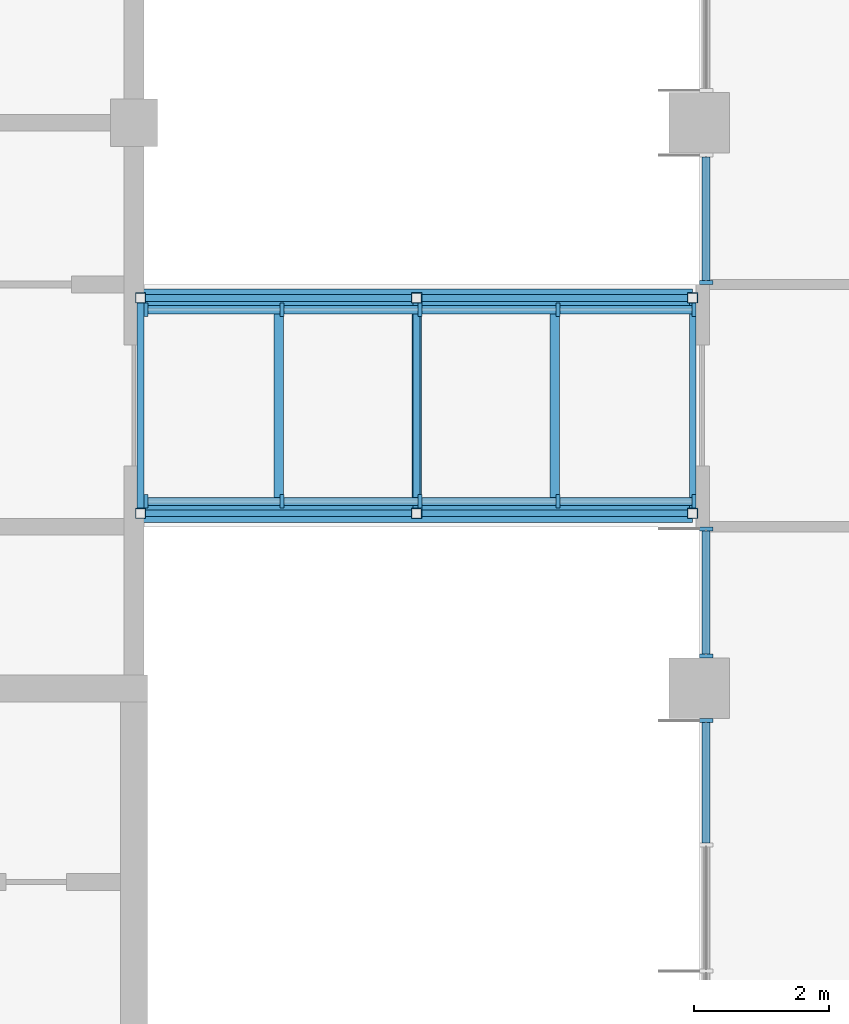
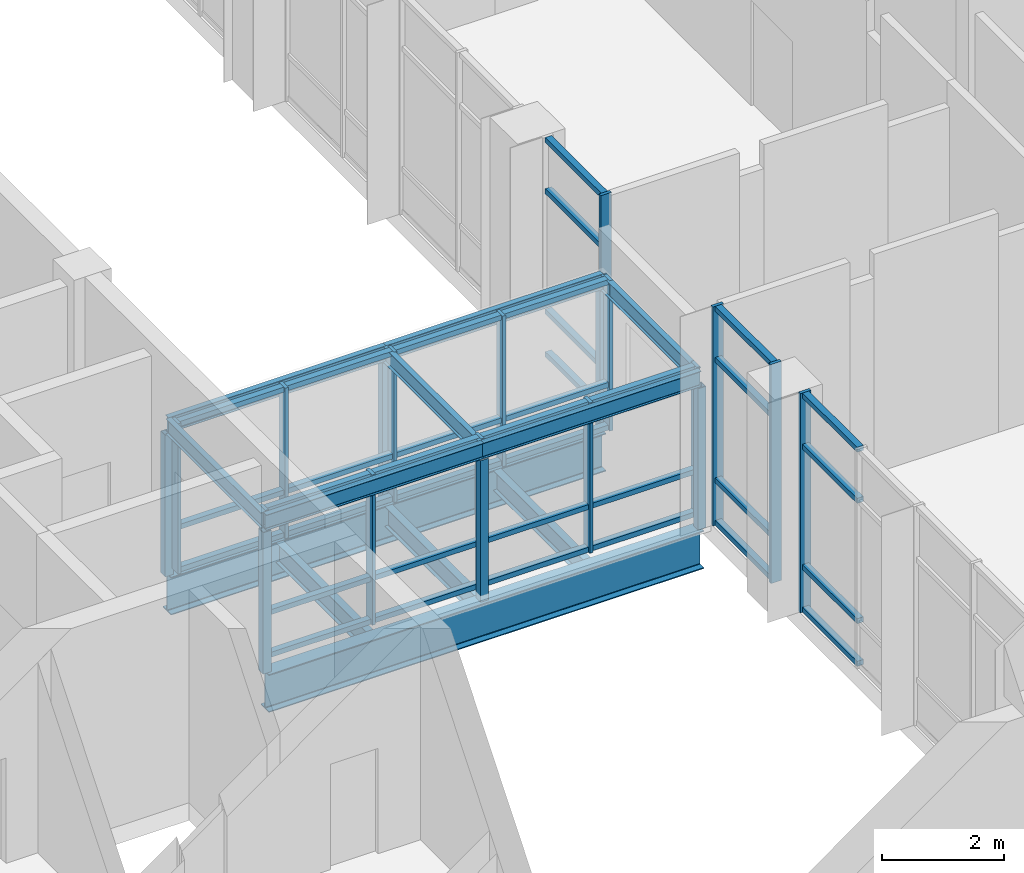
# One storey, part 18 of 70: 56 members, 12 beams, 5 elements without a shape of their own.
"""IFC4 building model written with IfcOpenShell, lengths in metres."""

from ifc_helpers import new_model, si_unit, direction, frame, origin, origin_2d, place, context, subcontext, project, spatial, rectangle, hollow_rectangle, i_section, extrude, material, material_profile, profile_set, type_object, element, aggregate, save


model = new_model("IFC4")

# Units and contexts
model_context = context("Model", 3, precision=1e-05, world=origin(), true_north=direction((0.0, 1.0)))
body_context = subcontext(model_context, "Body", "Model", "MODEL_VIEW")
ifc_project = project(units=[si_unit("LENGTHUNIT", "METRE"), si_unit("AREAUNIT", "SQUARE_METRE"), si_unit("VOLUMEUNIT", "CUBIC_METRE"), si_unit("PLANEANGLEUNIT", "RADIAN"), si_unit("MASSUNIT", "GRAM", prefix="KILO")], contexts=[model_context])

# Site, building, storey
site_placement = place(None, origin())
site = spatial("IfcSite", under=ifc_project, at=site_placement, CompositionType="ELEMENT")
building_placement = place(site_placement, origin())
building = spatial("IfcBuilding", under=site, at=building_placement, Name="Hlaing Beacon Police Headquarters", CompositionType="ELEMENT")
storey_placement = place(building_placement, frame((0.0, 0.0, 5.39990234375)))
storey = spatial("IfcBuildingStorey", under=building, at=storey_placement, Name="L01", CompositionType="ELEMENT", Elevation=5.39990234375)

# Beams
ifc_material_1 = material(Name="Steel ASTM A992 Grade 50", Category="steel")
ifc_material_profile_1 = material_profile(ifc_material_1, i_section(OverallWidth=0.1396484375, OverallDepth=0.398681640625, WebThickness=0.00634765625, FlangeThickness=0.0087890625, FilletRadius=0.01025390625, at=origin_2d()), Name="W16x26")
ifc_profile_set_1 = profile_set([ifc_material_profile_1], Name="Steel ASTM A992 Grade 50")
beam_type_1 = type_object("IfcBeamType", Name="Bridge cross beam W16x26", PredefinedType="BEAM", material=ifc_profile_set_1)
for number, where, z_axis, x_axis, name in (
    (1, (94.550048828125, 44.7333984375, -0.329345703125), (0.0, 1.0, 0.0), (-1.0, 0.0, 0.0), "STR-BG-BR2-CB01"),
    (2, (96.60009765625, 44.7333984375, -0.329345703125), (0.0, 1.0, 0.0), (-1.0, 0.0, 0.0), "STR-BG-BR2-CB02"),
    (3, (98.64990234375, 44.7333984375, -0.329345703125), (0.0, 1.0, 0.0), (-1.0, 0.0, 0.0), "STR-BG-BR2-CB03"),
):
    element("IfcBeam", number, at=place(storey_placement, frame(where, z_axis=z_axis, x_axis=x_axis)), inside=storey, type_object=beam_type_1, Name=name, PredefinedType="BEAM", context=body_context, shape_type="SweptSolid", body=[
        extrude(i_section(OverallWidth=0.1396484375, OverallDepth=0.398681640625, WebThickness=0.00634765625, FlangeThickness=0.0087890625, FilletRadius=0.01025390625, at=origin_2d()), origin(), (0.0, 0.0, 1.0), 2.933349609375),
    ])
ifc_material_2 = material(Name="Steel ASTM A992 Grade 50", Category="steel")
ifc_material_profile_2 = material_profile(ifc_material_2, i_section(OverallWidth=0.2666015625, OverallDepth=0.7568359375, WebThickness=0.013916015625, FlangeThickness=0.019287109375, FilletRadius=0.0166015625, at=origin_2d()), Name="W30x108")
ifc_profile_set_2 = profile_set([ifc_material_profile_2], Name="Steel ASTM A992 Grade 50")
beam_type_2 = type_object("IfcBeamType", Name="Bridge girder W30x108", PredefinedType="BEAM", material=ifc_profile_set_2)
for number, where, z_axis, x_axis, name in (
    (4, (92.5, 44.60009765625, -0.50830078125), (1.0, 0.0, 0.0), (0.0, 1.0, 0.0), "STR-BG-BR2-G1"),
    (5, (92.5, 47.800048828125, -0.50830078125), (1.0, 0.0, 0.0), (0.0, 1.0, 0.0), "STR-BG-BR2-G2"),
):
    element("IfcBeam", number, at=place(storey_placement, frame(where, z_axis=z_axis, x_axis=x_axis)), inside=storey, type_object=beam_type_2, Name=name, PredefinedType="BEAM", context=body_context, shape_type="SweptSolid", body=[
        extrude(i_section(OverallWidth=0.2666015625, OverallDepth=0.7568359375, WebThickness=0.013916015625, FlangeThickness=0.019287109375, FilletRadius=0.0166015625, at=origin_2d()), origin(), (0.0, 0.0, 1.0), 8.199951171875),
    ])

# Members
ifc_material_3 = material(Name="Steel ASTM A500 Grade C", Category="steel")
ifc_material_profile_3 = material_profile(ifc_material_3, hollow_rectangle(XDim=0.15234375, YDim=0.15234375, WallThickness=0.009521484375, at=origin_2d()), Name="HSS6x6x3/8")
ifc_profile_set_3 = profile_set([ifc_material_profile_3], Name="Steel ASTM A500 Grade C")
member_type_1 = type_object("IfcMemberType", Name="Bridge post HSS6x6x3/8", PredefinedType="POST", material=ifc_profile_set_3)
for number, where, z_axis, x_axis, name in (
    (6, (92.5, 44.60009765625, -0.1298828125), (0.0, 0.0, 1.0), (1.0, 0.0, 0.0), "STR-BG-BR2-PSA01"),
    (7, (96.60009765625, 44.60009765625, -0.1298828125), (0.0, 0.0, 1.0), (1.0, 0.0, 0.0), "STR-BG-BR2-PSA02"),
    (8, (100.699951171875, 44.60009765625, -0.1298828125), (0.0, 0.0, 1.0), (1.0, 0.0, 0.0), "STR-BG-BR2-PSA03"),
    (9, (92.5, 47.800048828125, -0.1298828125), (0.0, 0.0, 1.0), (1.0, 0.0, 0.0), "STR-BG-BR2-PSB01"),
    (10, (96.60009765625, 47.800048828125, -0.1298828125), (0.0, 0.0, 1.0), (1.0, 0.0, 0.0), "STR-BG-BR2-PSB02"),
    (11, (100.699951171875, 47.800048828125, -0.1298828125), (0.0, 0.0, 1.0), (1.0, 0.0, 0.0), "STR-BG-BR2-PSB03"),
):
    element("IfcMember", number, at=place(storey_placement, frame(where, z_axis=z_axis, x_axis=x_axis)), inside=storey, type_object=member_type_1, Name=name, PredefinedType="POST", context=body_context, shape_type="SweptSolid", body=[
        extrude(hollow_rectangle(XDim=0.15234375, YDim=0.15234375, WallThickness=0.009521484375, at=origin_2d()), origin(), (0.0, 0.0, 1.0), 2.820068359375),
    ])

# Beams
ifc_material_4 = material(Name="Steel ASTM A992 Grade 50", Category="steel")
ifc_material_profile_4 = material_profile(ifc_material_4, i_section(OverallWidth=0.101806640625, OverallDepth=0.309814453125, WebThickness=0.005859375, FlangeThickness=0.0087890625, FilletRadius=0.007568359375, at=origin_2d()), Name="W12x19")
ifc_profile_set_4 = profile_set([ifc_material_profile_4], Name="Steel ASTM A992 Grade 50")
beam_type_3 = type_object("IfcBeamType", Name="Bridge roof beam W12x19", PredefinedType="BEAM", material=ifc_profile_set_4)
beam_1_placement = place(storey_placement, frame((92.5, 44.60009765625, 2.84521484375), z_axis=(1.0, 0.0, 0.0), x_axis=(0.0, 1.0, 0.0)))
element("IfcBeam", 12, at=beam_1_placement, inside=storey, type_object=beam_type_3, Name="STR-BG-BR2-RBA01", PredefinedType="BEAM", context=body_context, shape_type="SweptSolid", body=[
    extrude(i_section(OverallWidth=0.101806640625, OverallDepth=0.309814453125, WebThickness=0.005859375, FlangeThickness=0.0087890625, FilletRadius=0.007568359375, at=origin_2d()), origin(), (0.0, 0.0, 1.0), 4.10009765625),
])
beam_2_placement = place(storey_placement, frame((96.60009765625, 44.60009765625, 2.84521484375), z_axis=(1.0, 0.0, 0.0), x_axis=(0.0, 1.0, 0.0)))
element("IfcBeam", 13, at=beam_2_placement, inside=storey, type_object=beam_type_3, Name="STR-BG-BR2-RBA02", PredefinedType="BEAM", context=body_context, shape_type="SweptSolid", body=[
    extrude(i_section(OverallWidth=0.101806640625, OverallDepth=0.309814453125, WebThickness=0.005859375, FlangeThickness=0.0087890625, FilletRadius=0.007568359375, at=origin_2d()), origin(), (0.0, 0.0, 1.0), 4.099853515625),
])
beam_3_placement = place(storey_placement, frame((92.5, 47.800048828125, 2.84521484375), z_axis=(1.0, 0.0, 0.0), x_axis=(0.0, 1.0, 0.0)))
element("IfcBeam", 14, at=beam_3_placement, inside=storey, type_object=beam_type_3, Name="STR-BG-BR2-RBB01", PredefinedType="BEAM", context=body_context, shape_type="SweptSolid", body=[
    extrude(i_section(OverallWidth=0.101806640625, OverallDepth=0.309814453125, WebThickness=0.005859375, FlangeThickness=0.0087890625, FilletRadius=0.007568359375, at=origin_2d()), origin(), (0.0, 0.0, 1.0), 4.10009765625),
])
beam_4_placement = place(storey_placement, frame((96.60009765625, 47.800048828125, 2.84521484375), z_axis=(1.0, 0.0, 0.0), x_axis=(0.0, 1.0, 0.0)))
element("IfcBeam", 15, at=beam_4_placement, inside=storey, type_object=beam_type_3, Name="STR-BG-BR2-RBB02", PredefinedType="BEAM", context=body_context, shape_type="SweptSolid", body=[
    extrude(i_section(OverallWidth=0.101806640625, OverallDepth=0.309814453125, WebThickness=0.005859375, FlangeThickness=0.0087890625, FilletRadius=0.007568359375, at=origin_2d()), origin(), (0.0, 0.0, 1.0), 4.099853515625),
])
for number, where, z_axis, x_axis, name in (
    (16, (92.5, 44.65087890625, 2.84521484375), (0.0, 1.0, 0.0), (-1.0, 0.0, 0.0), "STR-BG-BR2-RC01"),
    (17, (96.60009765625, 44.65087890625, 2.84521484375), (0.0, 1.0, 0.0), (-1.0, 0.0, 0.0), "STR-BG-BR2-RC02"),
    (18, (100.699951171875, 44.65087890625, 2.84521484375), (0.0, 1.0, 0.0), (-1.0, 0.0, 0.0), "STR-BG-BR2-RC03"),
):
    element("IfcBeam", number, at=place(storey_placement, frame(where, z_axis=z_axis, x_axis=x_axis)), inside=storey, type_object=beam_type_3, Name=name, PredefinedType="BEAM", context=body_context, shape_type="SweptSolid", body=[
        extrude(i_section(OverallWidth=0.101806640625, OverallDepth=0.309814453125, WebThickness=0.005859375, FlangeThickness=0.0087890625, FilletRadius=0.007568359375, at=origin_2d()), origin(), (0.0, 0.0, 1.0), 3.09814453125),
    ])

# Curtain wall, member
ifc_material_5 = material(Name="Aluminium frame with solar control glazing", Category="aluminium")
curtain_wall_type_1 = type_object("IfcCurtainWallType", Name="Unitised curtain wall 1.95 x 4.37", PredefinedType="NOTDEFINED", material=ifc_material_5)
curtain_wall_1_placement = place(storey_placement, origin())
curtain_wall_1 = element("IfcCurtainWall", 19, at=curtain_wall_1_placement, inside=storey, type_object=curtain_wall_type_1, Name="ENV-CW-L01-W025", PredefinedType="NOTDEFINED")
ifc_material_6 = material(Name="Aluminium", Category="aluminium")
ifc_material_profile_5 = material_profile(ifc_material_6, rectangle(XDim=0.199951171875, YDim=0.06005859375, at=origin_2d()), Name="Mullion 60x200")
ifc_profile_set_5 = profile_set([ifc_material_profile_5], Name="Aluminium")
member_type_2 = type_object("IfcMemberType", Name="Mullion 60x200", PredefinedType="MULLION", material=ifc_profile_set_5)
member_1_placement = place(storey_placement, frame((100.89990234375, 48.030029296875, 0.0), z_axis=(0.0, 0.0, 1.0), x_axis=(1.0, 0.0, 0.0)))
member_1 = element("IfcMember", 20, at=member_1_placement, type_object=member_type_2, Name="CW-L01-W025 mullion 2", PredefinedType="MULLION", context=body_context, shape_type="SweptSolid", body=[
    extrude(rectangle(XDim=0.199951171875, YDim=0.06005859375, at=origin_2d()), origin(), (0.0, 0.0, 1.0), 4.3701171875),
])

# Curtain wall, members
curtain_wall_2_placement = place(storey_placement, origin())
curtain_wall_2 = element("IfcCurtainWall", 21, at=curtain_wall_2_placement, inside=storey, type_object=curtain_wall_type_1, Name="ENV-CW-L01-W026", PredefinedType="NOTDEFINED")
member_2_placement = place(storey_placement, frame((100.89990234375, 44.3701171875, 0.0), z_axis=(0.0, 0.0, 1.0), x_axis=(1.0, 0.0, 0.0)))
member_2 = element("IfcMember", 22, at=member_2_placement, type_object=member_type_2, Name="CW-L01-W026 mullion 1", PredefinedType="MULLION", context=body_context, shape_type="SweptSolid", body=[
    extrude(rectangle(XDim=0.199951171875, YDim=0.06005859375, at=origin_2d()), origin(), (0.0, 0.0, 1.0), 4.3701171875),
])
member_3_placement = place(storey_placement, frame((100.89990234375, 42.47998046875, 0.0), z_axis=(0.0, 0.0, 1.0), x_axis=(1.0, 0.0, 0.0)))
member_3 = element("IfcMember", 23, at=member_3_placement, type_object=member_type_2, Name="CW-L01-W026 mullion 2", PredefinedType="MULLION", context=body_context, shape_type="SweptSolid", body=[
    extrude(rectangle(XDim=0.199951171875, YDim=0.06005859375, at=origin_2d()), origin(), (0.0, 0.0, 1.0), 4.3701171875),
])

# Curtain wall, member
ifc_material_7 = material(Name="Aluminium frame with solar control glazing", Category="aluminium")
curtain_wall_type_2 = type_object("IfcCurtainWallType", Name="Unitised curtain wall 7.50 x 4.37", PredefinedType="NOTDEFINED", material=ifc_material_7)
curtain_wall_3_placement = place(storey_placement, origin())
curtain_wall_3 = element("IfcCurtainWall", 24, at=curtain_wall_3_placement, inside=storey, type_object=curtain_wall_type_2, Name="ENV-CW-L01-W027", PredefinedType="NOTDEFINED")
member_4_placement = place(storey_placement, frame((100.89990234375, 41.52001953125, 0.0), z_axis=(0.0, 0.0, 1.0), x_axis=(1.0, 0.0, 0.0)))
member_4 = element("IfcMember", 25, at=member_4_placement, type_object=member_type_2, Name="CW-L01-W027 mullion 1", PredefinedType="MULLION", context=body_context, shape_type="SweptSolid", body=[
    extrude(rectangle(XDim=0.199951171875, YDim=0.06005859375, at=origin_2d()), origin(), (0.0, 0.0, 1.0), 4.3701171875),
])

# Curtain wall, members
ifc_material_8 = material(Name="Aluminium frame with solar control glazing", Category="aluminium")
curtain_wall_type_3 = type_object("IfcCurtainWallType", Name="Unitised curtain wall 8.20 x 3.00", PredefinedType="NOTDEFINED", material=ifc_material_8)
curtain_wall_4_placement = place(storey_placement, origin())
curtain_wall_4 = element("IfcCurtainWall", 26, at=curtain_wall_4_placement, inside=storey, type_object=curtain_wall_type_3, Name="ENV-BG-BR2-A-34", PredefinedType="NOTDEFINED")
member_5_placement = place(storey_placement, frame((92.580078125, 44.776123046875, 0.0), z_axis=(0.0, 0.0, 1.0), x_axis=(0.0, 1.0, 0.0)))
member_5 = element("IfcMember", 27, at=member_5_placement, type_object=member_type_2, Name="BG-BR2-A-34 mullion 1", PredefinedType="MULLION", context=body_context, shape_type="SweptSolid", body=[
    extrude(rectangle(XDim=0.199951171875, YDim=0.06005859375, at=origin_2d()), origin(), (0.0, 0.0, 1.0), 3.0),
])
member_6_placement = place(storey_placement, frame((94.60009765625, 44.776123046875, 0.0), z_axis=(0.0, 0.0, 1.0), x_axis=(0.0, 1.0, 0.0)))
member_6 = element("IfcMember", 28, at=member_6_placement, type_object=member_type_2, Name="BG-BR2-A-34 mullion 2", PredefinedType="MULLION", context=body_context, shape_type="SweptSolid", body=[
    extrude(rectangle(XDim=0.199951171875, YDim=0.06005859375, at=origin_2d()), origin(), (0.0, 0.0, 1.0), 3.0),
])
member_7_placement = place(storey_placement, frame((96.64990234375, 44.776123046875, 0.0), z_axis=(0.0, 0.0, 1.0), x_axis=(0.0, 1.0, 0.0)))
member_7 = element("IfcMember", 29, at=member_7_placement, type_object=member_type_2, Name="BG-BR2-A-34 mullion 3", PredefinedType="MULLION", context=body_context, shape_type="SweptSolid", body=[
    extrude(rectangle(XDim=0.199951171875, YDim=0.06005859375, at=origin_2d()), origin(), (0.0, 0.0, 1.0), 3.0),
])
member_8_placement = place(storey_placement, frame((98.699951171875, 44.776123046875, 0.0), z_axis=(0.0, 0.0, 1.0), x_axis=(0.0, 1.0, 0.0)))
member_8 = element("IfcMember", 30, at=member_8_placement, type_object=member_type_2, Name="BG-BR2-A-34 mullion 4", PredefinedType="MULLION", context=body_context, shape_type="SweptSolid", body=[
    extrude(rectangle(XDim=0.199951171875, YDim=0.06005859375, at=origin_2d()), origin(), (0.0, 0.0, 1.0), 3.0),
])
member_9_placement = place(storey_placement, frame((100.719970703125, 44.776123046875, 0.0), z_axis=(0.0, 0.0, 1.0), x_axis=(0.0, 1.0, 0.0)))
member_9 = element("IfcMember", 31, at=member_9_placement, type_object=member_type_2, Name="BG-BR2-A-34 mullion 5", PredefinedType="MULLION", context=body_context, shape_type="SweptSolid", body=[
    extrude(rectangle(XDim=0.199951171875, YDim=0.06005859375, at=origin_2d()), origin(), (0.0, 0.0, 1.0), 3.0),
])

curtain_wall_5_placement = place(storey_placement, origin())
curtain_wall_5 = element("IfcCurtainWall", 32, at=curtain_wall_5_placement, inside=storey, type_object=curtain_wall_type_3, Name="ENV-BG-BR2-B-35", PredefinedType="NOTDEFINED")
member_10_placement = place(storey_placement, frame((92.580078125, 47.623779296875, 0.0), z_axis=(0.0, 0.0, 1.0), x_axis=(0.0, 1.0, 0.0)))
member_10 = element("IfcMember", 33, at=member_10_placement, type_object=member_type_2, Name="BG-BR2-B-35 mullion 1", PredefinedType="MULLION", context=body_context, shape_type="SweptSolid", body=[
    extrude(rectangle(XDim=0.199951171875, YDim=0.06005859375, at=origin_2d()), origin(), (0.0, 0.0, 1.0), 3.0),
])
member_11_placement = place(storey_placement, frame((94.60009765625, 47.623779296875, 0.0), z_axis=(0.0, 0.0, 1.0), x_axis=(0.0, 1.0, 0.0)))
member_11 = element("IfcMember", 34, at=member_11_placement, type_object=member_type_2, Name="BG-BR2-B-35 mullion 2", PredefinedType="MULLION", context=body_context, shape_type="SweptSolid", body=[
    extrude(rectangle(XDim=0.199951171875, YDim=0.06005859375, at=origin_2d()), origin(), (0.0, 0.0, 1.0), 3.0),
])
member_12_placement = place(storey_placement, frame((96.64990234375, 47.623779296875, 0.0), z_axis=(0.0, 0.0, 1.0), x_axis=(0.0, 1.0, 0.0)))
member_12 = element("IfcMember", 35, at=member_12_placement, type_object=member_type_2, Name="BG-BR2-B-35 mullion 3", PredefinedType="MULLION", context=body_context, shape_type="SweptSolid", body=[
    extrude(rectangle(XDim=0.199951171875, YDim=0.06005859375, at=origin_2d()), origin(), (0.0, 0.0, 1.0), 3.0),
])
member_13_placement = place(storey_placement, frame((98.699951171875, 47.623779296875, 0.0), z_axis=(0.0, 0.0, 1.0), x_axis=(0.0, 1.0, 0.0)))
member_13 = element("IfcMember", 36, at=member_13_placement, type_object=member_type_2, Name="BG-BR2-B-35 mullion 4", PredefinedType="MULLION", context=body_context, shape_type="SweptSolid", body=[
    extrude(rectangle(XDim=0.199951171875, YDim=0.06005859375, at=origin_2d()), origin(), (0.0, 0.0, 1.0), 3.0),
])
member_14_placement = place(storey_placement, frame((100.719970703125, 47.623779296875, 0.0), z_axis=(0.0, 0.0, 1.0), x_axis=(0.0, 1.0, 0.0)))
member_14 = element("IfcMember", 37, at=member_14_placement, type_object=member_type_2, Name="BG-BR2-B-35 mullion 5", PredefinedType="MULLION", context=body_context, shape_type="SweptSolid", body=[
    extrude(rectangle(XDim=0.199951171875, YDim=0.06005859375, at=origin_2d()), origin(), (0.0, 0.0, 1.0), 3.0),
])

# Member
ifc_material_9 = material(Name="Aluminium", Category="aluminium")
ifc_material_profile_6 = material_profile(ifc_material_9, rectangle(XDim=0.1201171875, YDim=0.10009765625, at=origin_2d()), Name="Transom 120x100")
ifc_profile_set_6 = profile_set([ifc_material_profile_6], Name="Aluminium")
member_type_3 = type_object("IfcMemberType", Name="Transom 120x100", PredefinedType="USERDEFINED", material=ifc_profile_set_6)
member_15_placement = place(storey_placement, frame((100.89990234375, 49.889892578125, 0.050048828125), z_axis=(0.0, -1.0, 0.0), x_axis=(1.0, 0.0, 0.0)))
member_15 = element("IfcMember", 38, at=member_15_placement, type_object=member_type_3, Name="CW-L01-W025 transom 1.1", ObjectType="TRANSOM", PredefinedType="USERDEFINED", context=body_context, shape_type="SweptSolid", body=[
    extrude(rectangle(XDim=0.1201171875, YDim=0.10009765625, at=origin_2d()), origin(), (0.0, 0.0, 1.0), 1.829833984375),
])

member_16_placement = place(storey_placement, frame((100.89990234375, 49.889892578125, 0.900146484375), z_axis=(0.0, -1.0, 0.0), x_axis=(1.0, 0.0, 0.0)))
member_16 = element("IfcMember", 39, at=member_16_placement, type_object=member_type_3, Name="CW-L01-W025 transom 1.2", ObjectType="TRANSOM", PredefinedType="USERDEFINED", context=body_context, shape_type="SweptSolid", body=[
    extrude(rectangle(XDim=0.1201171875, YDim=0.10009765625, at=origin_2d()), origin(), (0.0, 0.0, 1.0), 1.829833984375),
])

member_17_placement = place(storey_placement, frame((100.89990234375, 49.889892578125, 3.300048828125), z_axis=(0.0, -1.0, 0.0), x_axis=(1.0, 0.0, 0.0)))
member_17 = element("IfcMember", 40, at=member_17_placement, type_object=member_type_3, Name="CW-L01-W025 transom 1.3", ObjectType="TRANSOM", PredefinedType="USERDEFINED", context=body_context, shape_type="SweptSolid", body=[
    extrude(rectangle(XDim=0.1201171875, YDim=0.10009765625, at=origin_2d()), origin(), (0.0, 0.0, 1.0), 1.829833984375),
])

member_18_placement = place(storey_placement, frame((100.89990234375, 49.889892578125, 4.320068359375), z_axis=(0.0, -1.0, 0.0), x_axis=(1.0, 0.0, 0.0)))
member_18 = element("IfcMember", 41, at=member_18_placement, type_object=member_type_3, Name="CW-L01-W025 transom 1.4", ObjectType="TRANSOM", PredefinedType="USERDEFINED", context=body_context, shape_type="SweptSolid", body=[
    extrude(rectangle(XDim=0.1201171875, YDim=0.10009765625, at=origin_2d()), origin(), (0.0, 0.0, 1.0), 1.829833984375),
])

aggregate(curtain_wall_1, [member_1, member_15, member_16, member_17, member_18])

member_19_placement = place(storey_placement, frame((100.89990234375, 44.340087890625, 0.050048828125), z_axis=(0.0, -1.0, 0.0), x_axis=(1.0, 0.0, 0.0)))
member_19 = element("IfcMember", 42, at=member_19_placement, type_object=member_type_3, Name="CW-L01-W026 transom 1.1", ObjectType="TRANSOM", PredefinedType="USERDEFINED", context=body_context, shape_type="SweptSolid", body=[
    extrude(rectangle(XDim=0.1201171875, YDim=0.10009765625, at=origin_2d()), origin(), (0.0, 0.0, 1.0), 1.830078125),
])

member_20_placement = place(storey_placement, frame((100.89990234375, 44.340087890625, 0.900146484375), z_axis=(0.0, -1.0, 0.0), x_axis=(1.0, 0.0, 0.0)))
member_20 = element("IfcMember", 43, at=member_20_placement, type_object=member_type_3, Name="CW-L01-W026 transom 1.2", ObjectType="TRANSOM", PredefinedType="USERDEFINED", context=body_context, shape_type="SweptSolid", body=[
    extrude(rectangle(XDim=0.1201171875, YDim=0.10009765625, at=origin_2d()), origin(), (0.0, 0.0, 1.0), 1.830078125),
])

member_21_placement = place(storey_placement, frame((100.89990234375, 44.340087890625, 3.300048828125), z_axis=(0.0, -1.0, 0.0), x_axis=(1.0, 0.0, 0.0)))
member_21 = element("IfcMember", 44, at=member_21_placement, type_object=member_type_3, Name="CW-L01-W026 transom 1.3", ObjectType="TRANSOM", PredefinedType="USERDEFINED", context=body_context, shape_type="SweptSolid", body=[
    extrude(rectangle(XDim=0.1201171875, YDim=0.10009765625, at=origin_2d()), origin(), (0.0, 0.0, 1.0), 1.830078125),
])

member_22_placement = place(storey_placement, frame((100.89990234375, 44.340087890625, 4.320068359375), z_axis=(0.0, -1.0, 0.0), x_axis=(1.0, 0.0, 0.0)))
member_22 = element("IfcMember", 45, at=member_22_placement, type_object=member_type_3, Name="CW-L01-W026 transom 1.4", ObjectType="TRANSOM", PredefinedType="USERDEFINED", context=body_context, shape_type="SweptSolid", body=[
    extrude(rectangle(XDim=0.1201171875, YDim=0.10009765625, at=origin_2d()), origin(), (0.0, 0.0, 1.0), 1.830078125),
])

aggregate(curtain_wall_2, [member_2, member_3, member_19, member_20, member_21, member_22])

member_23_placement = place(storey_placement, frame((100.89990234375, 41.489990234375, 0.050048828125), z_axis=(0.0, -1.0, 0.0), x_axis=(1.0, 0.0, 0.0)))
member_23 = element("IfcMember", 46, at=member_23_placement, type_object=member_type_3, Name="CW-L01-W027 transom 1.1", ObjectType="TRANSOM", PredefinedType="USERDEFINED", context=body_context, shape_type="SweptSolid", body=[
    extrude(rectangle(XDim=0.1201171875, YDim=0.10009765625, at=origin_2d()), origin(), (0.0, 0.0, 1.0), 1.784912109375),
])

member_24_placement = place(storey_placement, frame((100.89990234375, 41.489990234375, 0.900146484375), z_axis=(0.0, -1.0, 0.0), x_axis=(1.0, 0.0, 0.0)))
member_24 = element("IfcMember", 47, at=member_24_placement, type_object=member_type_3, Name="CW-L01-W027 transom 1.2", ObjectType="TRANSOM", PredefinedType="USERDEFINED", context=body_context, shape_type="SweptSolid", body=[
    extrude(rectangle(XDim=0.1201171875, YDim=0.10009765625, at=origin_2d()), origin(), (0.0, 0.0, 1.0), 1.784912109375),
])

member_25_placement = place(storey_placement, frame((100.89990234375, 41.489990234375, 3.300048828125), z_axis=(0.0, -1.0, 0.0), x_axis=(1.0, 0.0, 0.0)))
member_25 = element("IfcMember", 48, at=member_25_placement, type_object=member_type_3, Name="CW-L01-W027 transom 1.3", ObjectType="TRANSOM", PredefinedType="USERDEFINED", context=body_context, shape_type="SweptSolid", body=[
    extrude(rectangle(XDim=0.1201171875, YDim=0.10009765625, at=origin_2d()), origin(), (0.0, 0.0, 1.0), 1.784912109375),
])

member_26_placement = place(storey_placement, frame((100.89990234375, 41.489990234375, 4.320068359375), z_axis=(0.0, -1.0, 0.0), x_axis=(1.0, 0.0, 0.0)))
member_26 = element("IfcMember", 49, at=member_26_placement, type_object=member_type_3, Name="CW-L01-W027 transom 1.4", ObjectType="TRANSOM", PredefinedType="USERDEFINED", context=body_context, shape_type="SweptSolid", body=[
    extrude(rectangle(XDim=0.1201171875, YDim=0.10009765625, at=origin_2d()), origin(), (0.0, 0.0, 1.0), 1.784912109375),
])

aggregate(curtain_wall_3, [member_4, member_23, member_24, member_25, member_26])

member_27_placement = place(storey_placement, frame((92.610107421875, 44.776123046875, 0.050048828125), z_axis=(1.0, 0.0, 0.0), x_axis=(0.0, 1.0, 0.0)))
member_27 = element("IfcMember", 50, at=member_27_placement, type_object=member_type_3, Name="BG-BR2-A-34 transom 1.1", ObjectType="TRANSOM", PredefinedType="USERDEFINED", context=body_context, shape_type="SweptSolid", body=[
    extrude(rectangle(XDim=0.1201171875, YDim=0.10009765625, at=origin_2d()), origin(), (0.0, 0.0, 1.0), 1.9599609375),
])

member_28_placement = place(storey_placement, frame((92.610107421875, 44.776123046875, 0.900146484375), z_axis=(1.0, 0.0, 0.0), x_axis=(0.0, 1.0, 0.0)))
member_28 = element("IfcMember", 51, at=member_28_placement, type_object=member_type_3, Name="BG-BR2-A-34 transom 1.2", ObjectType="TRANSOM", PredefinedType="USERDEFINED", context=body_context, shape_type="SweptSolid", body=[
    extrude(rectangle(XDim=0.1201171875, YDim=0.10009765625, at=origin_2d()), origin(), (0.0, 0.0, 1.0), 1.9599609375),
])

member_29_placement = place(storey_placement, frame((92.610107421875, 44.776123046875, 2.9501953125), z_axis=(1.0, 0.0, 0.0), x_axis=(0.0, 1.0, 0.0)))
member_29 = element("IfcMember", 52, at=member_29_placement, type_object=member_type_3, Name="BG-BR2-A-34 transom 1.3", ObjectType="TRANSOM", PredefinedType="USERDEFINED", context=body_context, shape_type="SweptSolid", body=[
    extrude(rectangle(XDim=0.1201171875, YDim=0.10009765625, at=origin_2d()), origin(), (0.0, 0.0, 1.0), 1.9599609375),
])

member_30_placement = place(storey_placement, frame((94.6298828125, 44.776123046875, 0.050048828125), z_axis=(1.0, 0.0, 0.0), x_axis=(0.0, 1.0, 0.0)))
member_30 = element("IfcMember", 53, at=member_30_placement, type_object=member_type_3, Name="BG-BR2-A-34 transom 2.1", ObjectType="TRANSOM", PredefinedType="USERDEFINED", context=body_context, shape_type="SweptSolid", body=[
    extrude(rectangle(XDim=0.1201171875, YDim=0.10009765625, at=origin_2d()), origin(), (0.0, 0.0, 1.0), 1.990234375),
])

member_31_placement = place(storey_placement, frame((94.6298828125, 44.776123046875, 0.900146484375), z_axis=(1.0, 0.0, 0.0), x_axis=(0.0, 1.0, 0.0)))
member_31 = element("IfcMember", 54, at=member_31_placement, type_object=member_type_3, Name="BG-BR2-A-34 transom 2.2", ObjectType="TRANSOM", PredefinedType="USERDEFINED", context=body_context, shape_type="SweptSolid", body=[
    extrude(rectangle(XDim=0.1201171875, YDim=0.10009765625, at=origin_2d()), origin(), (0.0, 0.0, 1.0), 1.990234375),
])

member_32_placement = place(storey_placement, frame((94.6298828125, 44.776123046875, 2.9501953125), z_axis=(1.0, 0.0, 0.0), x_axis=(0.0, 1.0, 0.0)))
member_32 = element("IfcMember", 55, at=member_32_placement, type_object=member_type_3, Name="BG-BR2-A-34 transom 2.3", ObjectType="TRANSOM", PredefinedType="USERDEFINED", context=body_context, shape_type="SweptSolid", body=[
    extrude(rectangle(XDim=0.1201171875, YDim=0.10009765625, at=origin_2d()), origin(), (0.0, 0.0, 1.0), 1.990234375),
])

member_33_placement = place(storey_placement, frame((96.679931640625, 44.776123046875, 0.050048828125), z_axis=(1.0, 0.0, 0.0), x_axis=(0.0, 1.0, 0.0)))
member_33 = element("IfcMember", 56, at=member_33_placement, type_object=member_type_3, Name="BG-BR2-A-34 transom 3.1", ObjectType="TRANSOM", PredefinedType="USERDEFINED", context=body_context, shape_type="SweptSolid", body=[
    extrude(rectangle(XDim=0.1201171875, YDim=0.10009765625, at=origin_2d()), origin(), (0.0, 0.0, 1.0), 1.989990234375),
])

member_34_placement = place(storey_placement, frame((96.679931640625, 44.776123046875, 0.900146484375), z_axis=(1.0, 0.0, 0.0), x_axis=(0.0, 1.0, 0.0)))
member_34 = element("IfcMember", 57, at=member_34_placement, type_object=member_type_3, Name="BG-BR2-A-34 transom 3.2", ObjectType="TRANSOM", PredefinedType="USERDEFINED", context=body_context, shape_type="SweptSolid", body=[
    extrude(rectangle(XDim=0.1201171875, YDim=0.10009765625, at=origin_2d()), origin(), (0.0, 0.0, 1.0), 1.989990234375),
])

member_35_placement = place(storey_placement, frame((96.679931640625, 44.776123046875, 2.9501953125), z_axis=(1.0, 0.0, 0.0), x_axis=(0.0, 1.0, 0.0)))
member_35 = element("IfcMember", 58, at=member_35_placement, type_object=member_type_3, Name="BG-BR2-A-34 transom 3.3", ObjectType="TRANSOM", PredefinedType="USERDEFINED", context=body_context, shape_type="SweptSolid", body=[
    extrude(rectangle(XDim=0.1201171875, YDim=0.10009765625, at=origin_2d()), origin(), (0.0, 0.0, 1.0), 1.989990234375),
])

member_36_placement = place(storey_placement, frame((98.72998046875, 44.776123046875, 0.050048828125), z_axis=(1.0, 0.0, 0.0), x_axis=(0.0, 1.0, 0.0)))
member_36 = element("IfcMember", 59, at=member_36_placement, type_object=member_type_3, Name="BG-BR2-A-34 transom 4.1", ObjectType="TRANSOM", PredefinedType="USERDEFINED", context=body_context, shape_type="SweptSolid", body=[
    extrude(rectangle(XDim=0.1201171875, YDim=0.10009765625, at=origin_2d()), origin(), (0.0, 0.0, 1.0), 1.9599609375),
])

member_37_placement = place(storey_placement, frame((98.72998046875, 44.776123046875, 0.900146484375), z_axis=(1.0, 0.0, 0.0), x_axis=(0.0, 1.0, 0.0)))
member_37 = element("IfcMember", 60, at=member_37_placement, type_object=member_type_3, Name="BG-BR2-A-34 transom 4.2", ObjectType="TRANSOM", PredefinedType="USERDEFINED", context=body_context, shape_type="SweptSolid", body=[
    extrude(rectangle(XDim=0.1201171875, YDim=0.10009765625, at=origin_2d()), origin(), (0.0, 0.0, 1.0), 1.9599609375),
])

member_38_placement = place(storey_placement, frame((98.72998046875, 44.776123046875, 2.9501953125), z_axis=(1.0, 0.0, 0.0), x_axis=(0.0, 1.0, 0.0)))
member_38 = element("IfcMember", 61, at=member_38_placement, type_object=member_type_3, Name="BG-BR2-A-34 transom 4.3", ObjectType="TRANSOM", PredefinedType="USERDEFINED", context=body_context, shape_type="SweptSolid", body=[
    extrude(rectangle(XDim=0.1201171875, YDim=0.10009765625, at=origin_2d()), origin(), (0.0, 0.0, 1.0), 1.9599609375),
])

aggregate(curtain_wall_4, [member_5, member_6, member_7, member_8, member_9, member_27, member_28, member_29, member_30, member_31, member_32, member_33, member_34, member_35, member_36, member_37, member_38])

member_39_placement = place(storey_placement, frame((92.610107421875, 47.623779296875, 0.050048828125), z_axis=(1.0, 0.0, 0.0), x_axis=(0.0, 1.0, 0.0)))
member_39 = element("IfcMember", 62, at=member_39_placement, type_object=member_type_3, Name="BG-BR2-B-35 transom 1.1", ObjectType="TRANSOM", PredefinedType="USERDEFINED", context=body_context, shape_type="SweptSolid", body=[
    extrude(rectangle(XDim=0.1201171875, YDim=0.10009765625, at=origin_2d()), origin(), (0.0, 0.0, 1.0), 1.9599609375),
])

member_40_placement = place(storey_placement, frame((92.610107421875, 47.623779296875, 0.900146484375), z_axis=(1.0, 0.0, 0.0), x_axis=(0.0, 1.0, 0.0)))
member_40 = element("IfcMember", 63, at=member_40_placement, type_object=member_type_3, Name="BG-BR2-B-35 transom 1.2", ObjectType="TRANSOM", PredefinedType="USERDEFINED", context=body_context, shape_type="SweptSolid", body=[
    extrude(rectangle(XDim=0.1201171875, YDim=0.10009765625, at=origin_2d()), origin(), (0.0, 0.0, 1.0), 1.9599609375),
])

member_41_placement = place(storey_placement, frame((92.610107421875, 47.623779296875, 2.9501953125), z_axis=(1.0, 0.0, 0.0), x_axis=(0.0, 1.0, 0.0)))
member_41 = element("IfcMember", 64, at=member_41_placement, type_object=member_type_3, Name="BG-BR2-B-35 transom 1.3", ObjectType="TRANSOM", PredefinedType="USERDEFINED", context=body_context, shape_type="SweptSolid", body=[
    extrude(rectangle(XDim=0.1201171875, YDim=0.10009765625, at=origin_2d()), origin(), (0.0, 0.0, 1.0), 1.9599609375),
])

member_42_placement = place(storey_placement, frame((94.6298828125, 47.623779296875, 0.050048828125), z_axis=(1.0, 0.0, 0.0), x_axis=(0.0, 1.0, 0.0)))
member_42 = element("IfcMember", 65, at=member_42_placement, type_object=member_type_3, Name="BG-BR2-B-35 transom 2.1", ObjectType="TRANSOM", PredefinedType="USERDEFINED", context=body_context, shape_type="SweptSolid", body=[
    extrude(rectangle(XDim=0.1201171875, YDim=0.10009765625, at=origin_2d()), origin(), (0.0, 0.0, 1.0), 1.990234375),
])

member_43_placement = place(storey_placement, frame((94.6298828125, 47.623779296875, 0.900146484375), z_axis=(1.0, 0.0, 0.0), x_axis=(0.0, 1.0, 0.0)))
member_43 = element("IfcMember", 66, at=member_43_placement, type_object=member_type_3, Name="BG-BR2-B-35 transom 2.2", ObjectType="TRANSOM", PredefinedType="USERDEFINED", context=body_context, shape_type="SweptSolid", body=[
    extrude(rectangle(XDim=0.1201171875, YDim=0.10009765625, at=origin_2d()), origin(), (0.0, 0.0, 1.0), 1.990234375),
])

member_44_placement = place(storey_placement, frame((94.6298828125, 47.623779296875, 2.9501953125), z_axis=(1.0, 0.0, 0.0), x_axis=(0.0, 1.0, 0.0)))
member_44 = element("IfcMember", 67, at=member_44_placement, type_object=member_type_3, Name="BG-BR2-B-35 transom 2.3", ObjectType="TRANSOM", PredefinedType="USERDEFINED", context=body_context, shape_type="SweptSolid", body=[
    extrude(rectangle(XDim=0.1201171875, YDim=0.10009765625, at=origin_2d()), origin(), (0.0, 0.0, 1.0), 1.990234375),
])

member_45_placement = place(storey_placement, frame((96.679931640625, 47.623779296875, 0.050048828125), z_axis=(1.0, 0.0, 0.0), x_axis=(0.0, 1.0, 0.0)))
member_45 = element("IfcMember", 68, at=member_45_placement, type_object=member_type_3, Name="BG-BR2-B-35 transom 3.1", ObjectType="TRANSOM", PredefinedType="USERDEFINED", context=body_context, shape_type="SweptSolid", body=[
    extrude(rectangle(XDim=0.1201171875, YDim=0.10009765625, at=origin_2d()), origin(), (0.0, 0.0, 1.0), 1.989990234375),
])

member_46_placement = place(storey_placement, frame((96.679931640625, 47.623779296875, 0.900146484375), z_axis=(1.0, 0.0, 0.0), x_axis=(0.0, 1.0, 0.0)))
member_46 = element("IfcMember", 69, at=member_46_placement, type_object=member_type_3, Name="BG-BR2-B-35 transom 3.2", ObjectType="TRANSOM", PredefinedType="USERDEFINED", context=body_context, shape_type="SweptSolid", body=[
    extrude(rectangle(XDim=0.1201171875, YDim=0.10009765625, at=origin_2d()), origin(), (0.0, 0.0, 1.0), 1.989990234375),
])

member_47_placement = place(storey_placement, frame((96.679931640625, 47.623779296875, 2.9501953125), z_axis=(1.0, 0.0, 0.0), x_axis=(0.0, 1.0, 0.0)))
member_47 = element("IfcMember", 70, at=member_47_placement, type_object=member_type_3, Name="BG-BR2-B-35 transom 3.3", ObjectType="TRANSOM", PredefinedType="USERDEFINED", context=body_context, shape_type="SweptSolid", body=[
    extrude(rectangle(XDim=0.1201171875, YDim=0.10009765625, at=origin_2d()), origin(), (0.0, 0.0, 1.0), 1.989990234375),
])

member_48_placement = place(storey_placement, frame((98.72998046875, 47.623779296875, 0.050048828125), z_axis=(1.0, 0.0, 0.0), x_axis=(0.0, 1.0, 0.0)))
member_48 = element("IfcMember", 71, at=member_48_placement, type_object=member_type_3, Name="BG-BR2-B-35 transom 4.1", ObjectType="TRANSOM", PredefinedType="USERDEFINED", context=body_context, shape_type="SweptSolid", body=[
    extrude(rectangle(XDim=0.1201171875, YDim=0.10009765625, at=origin_2d()), origin(), (0.0, 0.0, 1.0), 1.9599609375),
])

member_49_placement = place(storey_placement, frame((98.72998046875, 47.623779296875, 0.900146484375), z_axis=(1.0, 0.0, 0.0), x_axis=(0.0, 1.0, 0.0)))
member_49 = element("IfcMember", 72, at=member_49_placement, type_object=member_type_3, Name="BG-BR2-B-35 transom 4.2", ObjectType="TRANSOM", PredefinedType="USERDEFINED", context=body_context, shape_type="SweptSolid", body=[
    extrude(rectangle(XDim=0.1201171875, YDim=0.10009765625, at=origin_2d()), origin(), (0.0, 0.0, 1.0), 1.9599609375),
])

member_50_placement = place(storey_placement, frame((98.72998046875, 47.623779296875, 2.9501953125), z_axis=(1.0, 0.0, 0.0), x_axis=(0.0, 1.0, 0.0)))
member_50 = element("IfcMember", 73, at=member_50_placement, type_object=member_type_3, Name="BG-BR2-B-35 transom 4.3", ObjectType="TRANSOM", PredefinedType="USERDEFINED", context=body_context, shape_type="SweptSolid", body=[
    extrude(rectangle(XDim=0.1201171875, YDim=0.10009765625, at=origin_2d()), origin(), (0.0, 0.0, 1.0), 1.9599609375),
])

aggregate(curtain_wall_5, [member_10, member_11, member_12, member_13, member_14, member_39, member_40, member_41, member_42, member_43, member_44, member_45, member_46, member_47, member_48, member_49, member_50])

save(model, "model.ifc")
